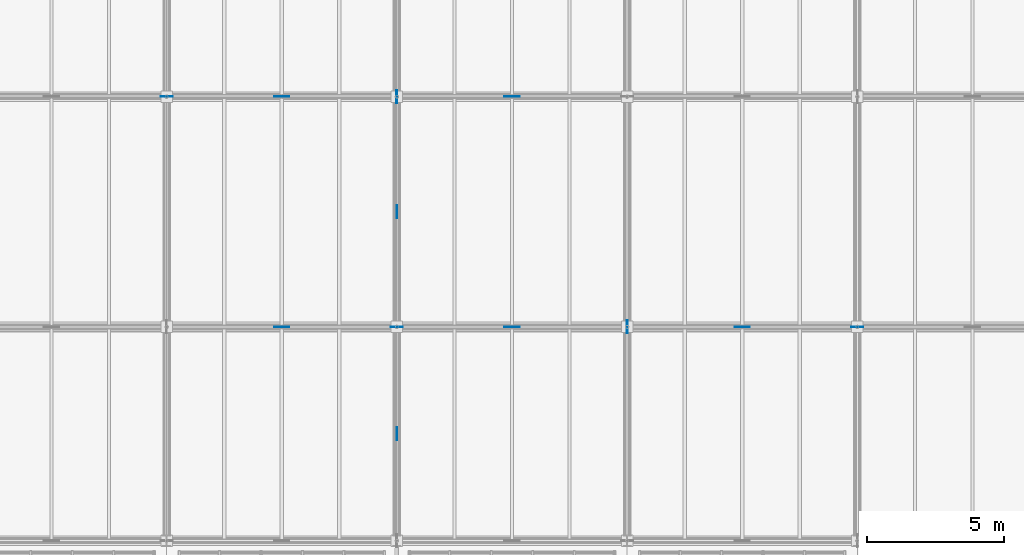
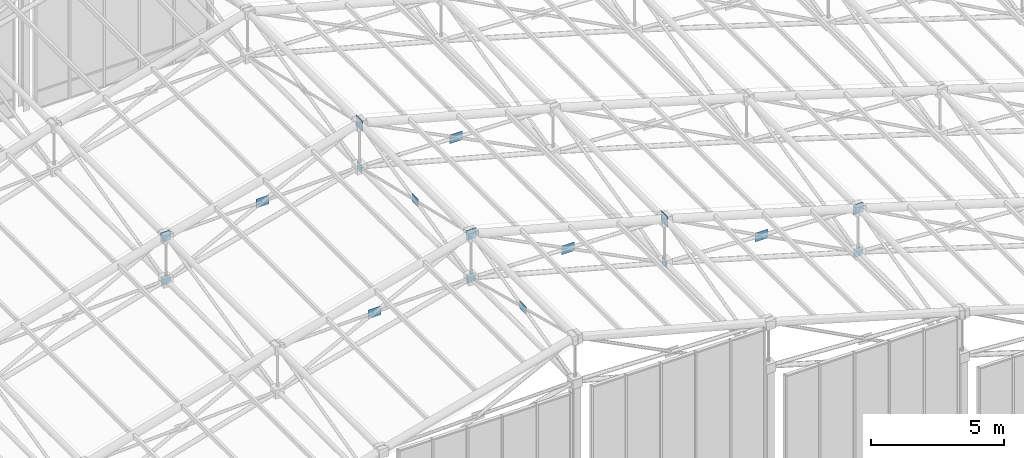
# One storey, part 120 of 144: 17 plates.
"""IFC4 building model written with IfcOpenShell, lengths in metres."""

from ifc_helpers import new_model, si_unit, direction, frame, origin, origin_2d, place, context, subcontext, project, spatial, rectangle, extrude, material, layer, layer_set, type_object, element, save


model = new_model("IFC4")

# Units and contexts
model_context = context("Model", 3, precision=1e-05, world=origin(), true_north=direction((0.0, 1.0)))
body_context = subcontext(model_context, "Body", "Model", "MODEL_VIEW")
ifc_project = project(units=[si_unit("LENGTHUNIT", "METRE"), si_unit("AREAUNIT", "SQUARE_METRE"), si_unit("VOLUMEUNIT", "CUBIC_METRE"), si_unit("PLANEANGLEUNIT", "RADIAN"), si_unit("MASSUNIT", "GRAM", prefix="KILO")], contexts=[model_context])

# Site, building, storey
site_placement = place(None, origin())
site = spatial("IfcSite", under=ifc_project, at=site_placement, CompositionType="ELEMENT")
building_placement = place(site_placement, origin())
building = spatial("IfcBuilding", under=site, at=building_placement, Name="Zayran Congress Hotel", CompositionType="ELEMENT")
storey_placement = place(building_placement, frame((0.0, 0.0, 19.199951171875)))
storey = spatial("IfcBuildingStorey", under=building, at=storey_placement, Name="L04", CompositionType="ELEMENT", Elevation=19.199951171875)

# Plates
ifc_material = material(Name="Steel S355", Category="steel")
ifc_layer_1 = layer(ifc_material, 0.02490234375)
ifc_layer_set_1 = layer_set([ifc_layer_1], Name="Steel S355")
plate_type_1 = type_object("IfcPlateType", Name="TP-SN-CP1", PredefinedType="USERDEFINED", material=ifc_layer_set_1)
for number, where, z_axis, x_axis, name in (
    (1, (42.0, 84.39990234375, 12.132080078125), (0.0, 0.0, 1.0), (1.0, 0.0, 0.0), "Space Frame Node Cap Plate 31"),
    (2, (50.39990234375, 76.0, 14.382080078125), (0.0, 0.0, 1.0), (1.0, 0.0, 0.0), "Space Frame Node Cap Plate 37"),
    (3, (67.199951171875, 76.0, 9.68212890625), (0.0, 0.0, 1.0), (1.0, 0.0, 0.0), "Space Frame Node Cap Plate 51"),
):
    element("IfcPlate", number, at=place(storey_placement, frame(where, z_axis=z_axis, x_axis=x_axis)), inside=storey, type_object=plate_type_1, Name=name, ObjectType="GUSSET_PLATE", PredefinedType="USERDEFINED", context=body_context, shape_type="SweptSolid", body=[
        extrude(rectangle(XDim=0.43994140625, YDim=0.02490234375, at=origin_2d()), origin(), (0.0, 0.0, 1.0), 0.43994140625),
    ])
ifc_layer_2 = layer(ifc_material, 0.02490234375)
ifc_layer_set_2 = layer_set([ifc_layer_2], Name="Steel S355")
plate_type_2 = type_object("IfcPlateType", Name="TP-SN-CP2", PredefinedType="USERDEFINED", material=ifc_layer_set_2)
for number, where, z_axis, x_axis, name in (
    (4, (42.0, 84.39990234375, 10.16015625), (0.0, 0.0, 1.0), (1.0, 0.0, 0.0), "Space Frame Node Cap Plate 108"),
    (5, (50.39990234375, 76.0, 12.41015625), (0.0, 0.0, 1.0), (1.0, 0.0, 0.0), "Space Frame Node Cap Plate 114"),
    (6, (67.199951171875, 76.0, 7.710205078125), (0.0, 0.0, 1.0), (1.0, 0.0, 0.0), "Space Frame Node Cap Plate 128"),
):
    element("IfcPlate", number, at=place(storey_placement, frame(where, z_axis=z_axis, x_axis=x_axis)), inside=storey, type_object=plate_type_2, Name=name, ObjectType="GUSSET_PLATE", PredefinedType="USERDEFINED", context=body_context, shape_type="SweptSolid", body=[
        extrude(rectangle(XDim=0.3798828125, YDim=0.02490234375, at=origin_2d()), origin(), (0.0, 0.0, 1.0), 0.3798828125),
    ])
ifc_layer_3 = layer(ifc_material, 0.02001953125)
ifc_layer_set_3 = layer_set([ifc_layer_3], Name="Steel S355")
plate_type_3 = type_object("IfcPlateType", Name="TP-SN-CP3", PredefinedType="USERDEFINED", material=ifc_layer_set_3)
for number, where, z_axis, x_axis, name in (
    (7, (50.39990234375, 84.39990234375, 12.43017578125), (0.0, 0.0, 1.0), (0.0, 1.0, 0.0), "Space Frame Node Cap Plate 115"),
    (8, (58.800048828125, 76.0, 10.18017578125), (0.0, 0.0, 1.0), (0.0, 1.0, 0.0), "Space Frame Node Cap Plate 121"),
):
    element("IfcPlate", number, at=place(storey_placement, frame(where, z_axis=z_axis, x_axis=x_axis)), inside=storey, type_object=plate_type_3, Name=name, ObjectType="GUSSET_PLATE", PredefinedType="USERDEFINED", context=body_context, shape_type="SweptSolid", body=[
        extrude(rectangle(XDim=0.340087890625, YDim=0.02001953125, at=origin_2d()), origin(), (0.0, 0.0, 1.0), 0.340087890625),
    ])
ifc_layer_4 = layer(ifc_material, 0.028076171875)
ifc_layer_set_4 = layer_set([ifc_layer_4], Name="Steel S355")
plate_type_4 = type_object("IfcPlateType", Name="TP-SN-CP4", PredefinedType="USERDEFINED", material=ifc_layer_set_4)
for number, where, z_axis, x_axis, name in (
    (9, (50.39990234375, 84.39990234375, 14.362060546875), (0.0, 0.0, 1.0), (0.0, 1.0, 0.0), "Space Frame Node Cap Plate 38"),
    (10, (58.800048828125, 76.0, 12.112060546875), (0.0, 0.0, 1.0), (0.0, 1.0, 0.0), "Space Frame Node Cap Plate 44"),
):
    element("IfcPlate", number, at=place(storey_placement, frame(where, z_axis=z_axis, x_axis=x_axis)), inside=storey, type_object=plate_type_4, Name=name, ObjectType="GUSSET_PLATE", PredefinedType="USERDEFINED", context=body_context, shape_type="SweptSolid", body=[
        extrude(rectangle(XDim=0.47998046875, YDim=0.028076171875, at=origin_2d()), origin(), (0.0, 0.0, 1.0), 0.47998046875),
    ])
ifc_layer_5 = layer(ifc_material, 0.02490234375)
ifc_layer_set_5 = layer_set([ifc_layer_5], Name="Steel S355")
plate_type_5 = type_object("IfcPlateType", Name="TP-GS-01", PredefinedType="USERDEFINED", material=ifc_layer_set_5)
for number, where, z_axis, x_axis, name in (
    (11, (46.199951171875, 76.0, 12.276123046875), (0.0, 0.0, 1.0), (1.0, 0.0, 0.0), "V1 Brace Crossing Gusset Plate 36"),
    (12, (46.199951171875, 84.39990234375, 12.276123046875), (0.0, 0.0, 1.0), (1.0, 0.0, 0.0), "V1 Brace Crossing Gusset Plate 37"),
    (13, (54.60009765625, 76.0, 12.276123046875), (0.0, 0.0, 1.0), (1.0, 0.0, 0.0), "V1 Brace Crossing Gusset Plate 44"),
    (14, (54.60009765625, 84.39990234375, 12.276123046875), (0.0, 0.0, 1.0), (1.0, 0.0, 0.0), "V1 Brace Crossing Gusset Plate 46"),
    (15, (63.0, 76.0, 9.926025390625), (0.0, 0.0, 1.0), (1.0, 0.0, 0.0), "V1 Brace Crossing Gusset Plate 56"),
):
    element("IfcPlate", number, at=place(storey_placement, frame(where, z_axis=z_axis, x_axis=x_axis)), inside=storey, type_object=plate_type_5, Name=name, ObjectType="GUSSET_PLATE", PredefinedType="USERDEFINED", context=body_context, shape_type="SweptSolid", body=[
        extrude(rectangle(XDim=0.550048828125, YDim=0.02490234375, at=origin_2d()), origin(), (0.0, 0.0, 1.0), 0.39990234375),
    ])
ifc_layer_6 = layer(ifc_material, 0.02001953125)
ifc_layer_set_6 = layer_set([ifc_layer_6], Name="Steel S355")
plate_type_6 = type_object("IfcPlateType", Name="TP-GS-02", PredefinedType="USERDEFINED", material=ifc_layer_set_6)
for number, where, z_axis, x_axis, name in (
    (16, (50.39990234375, 72.10009765625, 13.4208984375), (0.0, 0.0, 1.0), (0.0, 1.0, 0.0), "V1 Brace Crossing Gusset Plate 43"),
    (17, (50.39990234375, 80.199951171875, 13.4208984375), (0.0, 0.0, 1.0), (0.0, 1.0, 0.0), "V1 Brace Crossing Gusset Plate 45"),
):
    element("IfcPlate", number, at=place(storey_placement, frame(where, z_axis=z_axis, x_axis=x_axis)), inside=storey, type_object=plate_type_6, Name=name, ObjectType="GUSSET_PLATE", PredefinedType="USERDEFINED", context=body_context, shape_type="SweptSolid", body=[
        extrude(rectangle(XDim=0.47998046875, YDim=0.02001953125, at=origin_2d()), origin(), (0.0, 0.0, 1.0), 0.360107421875),
    ])

save(model, "model.ifc")
